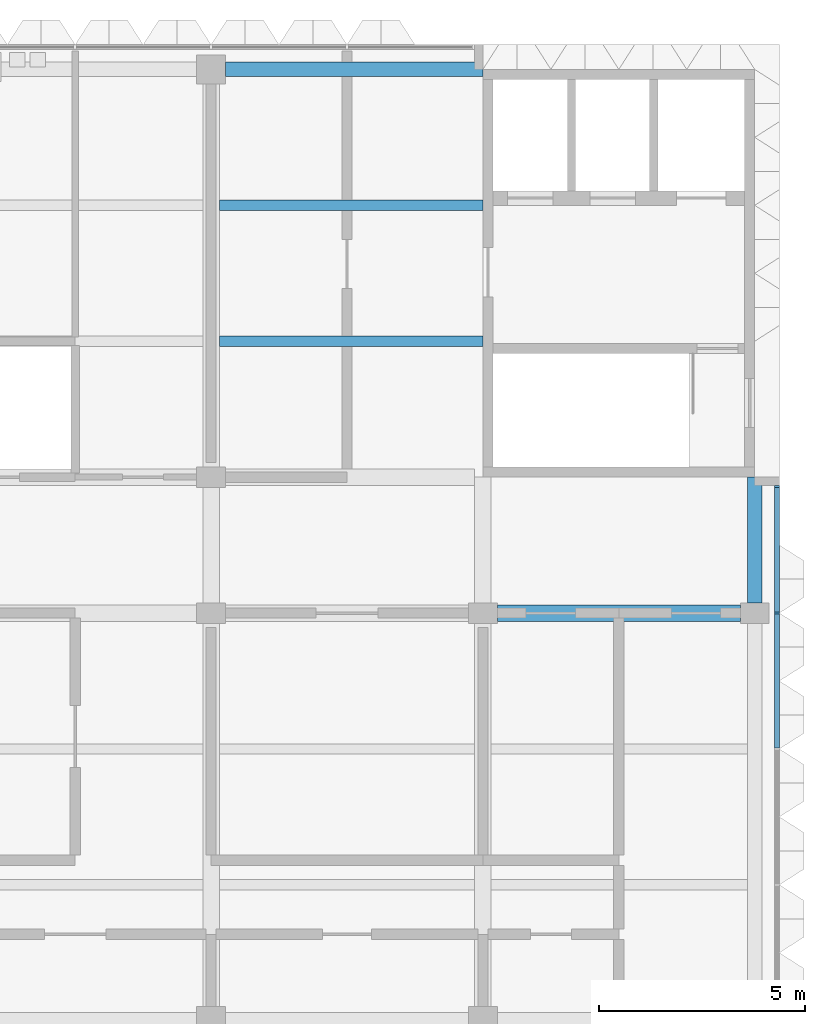
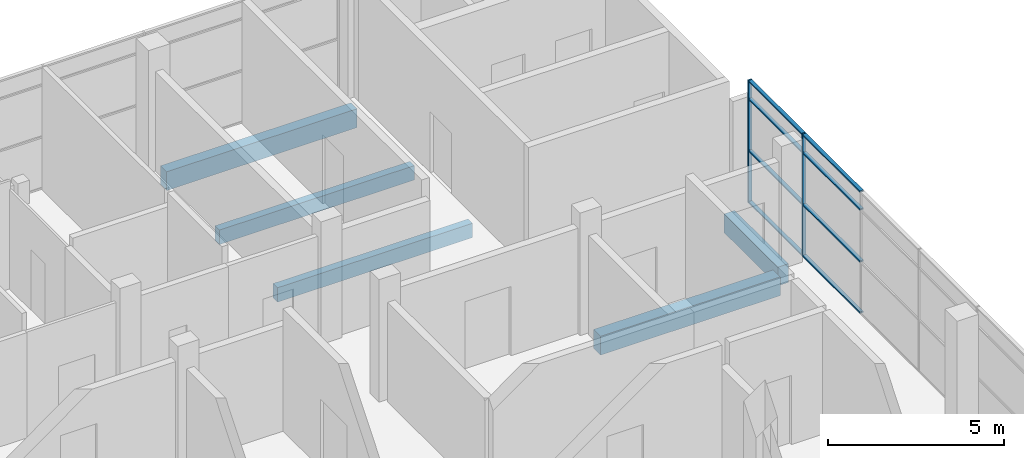
# One storey, part 5 of 21: 10 members, 5 beams, 1 element without a shape of its own.
"""IFC4 building model written with IfcOpenShell, lengths in metres."""

from ifc_helpers import new_model, si_unit, direction, frame, origin, origin_2d, place, context, subcontext, project, spatial, rectangle, extrude, material, material_profile, profile_set, type_object, element, aggregate, save


model = new_model("IFC4")

# Units and contexts
model_context = context("Model", 3, precision=1e-05, world=origin(), true_north=direction((0.0, 1.0)))
body_context = subcontext(model_context, "Body", "Model", "MODEL_VIEW")
ifc_project = project(units=[si_unit("LENGTHUNIT", "METRE"), si_unit("AREAUNIT", "SQUARE_METRE"), si_unit("VOLUMEUNIT", "CUBIC_METRE"), si_unit("PLANEANGLEUNIT", "RADIAN"), si_unit("MASSUNIT", "GRAM", prefix="KILO")], contexts=[model_context])

# Site, building, storey
site_placement = place(None, origin())
site = spatial("IfcSite", under=ifc_project, at=site_placement, CompositionType="ELEMENT")
building_placement = place(site_placement, origin())
building = spatial("IfcBuilding", under=site, at=building_placement, Name="Lantern Court Research Institute", CompositionType="ELEMENT")
storey_placement = place(building_placement, frame((0.0, 0.0, 41.39990234375)))
storey = spatial("IfcBuildingStorey", under=building, at=storey_placement, Name="L09", CompositionType="ELEMENT", Elevation=41.39990234375)

# Curtain wall, members
ifc_material_1 = material(Name="Aluminium alloy 6063-T6", Category="aluminium")
curtain_wall_type = type_object("IfcCurtainWallType", Name="Curtain wall 21250 x 4250 x 120 aluminium frame", PredefinedType="NOTDEFINED", material=ifc_material_1)
curtain_wall_placement = place(storey_placement, origin())
curtain_wall = element("IfcCurtainWall", 1, at=curtain_wall_placement, inside=storey, type_object=curtain_wall_type, Name="Curtain wall CW089", PredefinedType="NOTDEFINED")
ifc_material_2 = material(Name="Aluminium alloy 6063-T6", Category="aluminium")
ifc_material_profile_1 = material_profile(ifc_material_2, rectangle(XDim=0.1201171875, YDim=0.050048828125, at=origin_2d()), Name="Mullion 120 x 50")
ifc_profile_set_1 = profile_set([ifc_material_profile_1], Name="Aluminium alloy 6063-T6")
member_type_1 = type_object("IfcMemberType", Name="Mullion 120 x 50 aluminium", PredefinedType="MULLION", material=ifc_profile_set_1)
member_1_placement = place(storey_placement, frame((79.739990234375, 9.89990234375, 0.0), z_axis=(0.0, 0.0, 1.0), x_axis=(1.0, 0.0, 0.0)))
member_1 = element("IfcMember", 2, at=member_1_placement, type_object=member_type_1, Name="CW089 mullion 7", PredefinedType="MULLION", context=body_context, shape_type="SweptSolid", body=[
    extrude(rectangle(XDim=0.1201171875, YDim=0.050048828125, at=origin_2d()), origin(), (0.0, 0.0, 1.0), 4.25),
])
member_2_placement = place(storey_placement, frame((79.739990234375, 12.97509765625, 0.0), z_axis=(0.0, 0.0, 1.0), x_axis=(1.0, 0.0, 0.0)))
member_2 = element("IfcMember", 3, at=member_2_placement, type_object=member_type_1, Name="CW089 mullion 8", PredefinedType="MULLION", context=body_context, shape_type="SweptSolid", body=[
    extrude(rectangle(XDim=0.1201171875, YDim=0.050048828125, at=origin_2d()), origin(), (0.0, 0.0, 1.0), 4.25),
])

# Beams
ifc_material_3 = material(Name="Concrete C40/50", Category="concrete")
ifc_material_profile_2 = material_profile(ifc_material_3, rectangle(XDim=0.39990234375, YDim=0.64990234375, at=origin_2d()), Name="RC beam 400 x 650")
ifc_profile_set_2 = profile_set([ifc_material_profile_2], Name="Concrete C40/50")
beam_type_1 = type_object("IfcBeamType", Name="RC beam 400 x 650", PredefinedType="BEAM", material=ifc_profile_set_2)
beam_1_placement = place(storey_placement, frame((72.949951171875, 9.89990234375, -0.625), z_axis=(1.0, 0.0, 0.0), x_axis=(0.0, 1.0, 0.0)))
element("IfcBeam", 4, at=beam_1_placement, inside=storey, type_object=beam_type_1, Name="Beam L09 grid B/12-13", PredefinedType="BEAM", context=body_context, shape_type="SweptSolid", body=[
    extrude(rectangle(XDim=0.39990234375, YDim=0.64990234375, at=origin_2d()), origin(), (0.0, 0.0, 1.0), 5.900146484375),
])
ifc_material_4 = material(Name="Concrete C40/50", Category="concrete")
ifc_material_profile_3 = material_profile(ifc_material_4, rectangle(XDim=0.35009765625, YDim=0.64990234375, at=origin_2d()), Name="RC beam 350 x 650")
ifc_profile_set_3 = profile_set([ifc_material_profile_3], Name="Concrete C40/50")
beam_type_2 = type_object("IfcBeamType", Name="RC edge beam 350 x 650", PredefinedType="BEAM", material=ifc_profile_set_3)
beam_2_placement = place(storey_placement, frame((79.199951171875, 10.14990234375, -0.625), z_axis=(0.0, 1.0, 0.0), x_axis=(-1.0, 0.0, 0.0)))
element("IfcBeam", 5, at=beam_2_placement, inside=storey, type_object=beam_type_2, Name="Edge beam L09 grid 13/B-C", PredefinedType="BEAM", context=body_context, shape_type="SweptSolid", body=[
    extrude(rectangle(XDim=0.35009765625, YDim=0.64990234375, at=origin_2d()), origin(), (0.0, 0.0, 1.0), 3.050048828125),
])
beam_3_placement = place(storey_placement, frame((66.35009765625, 23.10009765625, -0.625), z_axis=(1.0, 0.0, 0.0), x_axis=(0.0, 1.0, 0.0)))
element("IfcBeam", 6, at=beam_3_placement, inside=storey, type_object=beam_type_2, Name="Edge beam L09 grid D/11-12", PredefinedType="BEAM", context=body_context, shape_type="SweptSolid", body=[
    extrude(rectangle(XDim=0.35009765625, YDim=0.64990234375, at=origin_2d()), origin(), (0.0, 0.0, 1.0), 6.25),
])
ifc_material_5 = material(Name="Concrete C40/50", Category="concrete")
ifc_material_profile_4 = material_profile(ifc_material_5, rectangle(XDim=0.25, YDim=0.5, at=origin_2d()), Name="RC beam 250 x 500")
ifc_profile_set_4 = profile_set([ifc_material_profile_4], Name="Concrete C40/50")
beam_type_3 = type_object("IfcBeamType", Name="RC secondary beam 250 x 500", PredefinedType="BEAM", material=ifc_profile_set_4)
for number, where, z_axis, x_axis, name in (
    (7, (66.199951171875, 16.5, -0.5498046875), (1.0, 0.0, 0.0), (0.0, 1.0, 0.0), "Secondary beam L09 grids 11-12 / C-D, line 1"),
    (8, (66.199951171875, 19.800048828125, -0.5498046875), (1.0, 0.0, 0.0), (0.0, 1.0, 0.0), "Secondary beam L09 grids 11-12 / C-D, line 2"),
):
    element("IfcBeam", number, at=place(storey_placement, frame(where, z_axis=z_axis, x_axis=x_axis)), inside=storey, type_object=beam_type_3, Name=name, PredefinedType="BEAM", context=body_context, shape_type="SweptSolid", body=[
        extrude(rectangle(XDim=0.25, YDim=0.5, at=origin_2d()), origin(), (0.0, 0.0, 1.0), 6.400146484375),
    ])

# Member
ifc_material_6 = material(Name="Aluminium alloy 6063-T6", Category="aluminium")
ifc_material_profile_5 = material_profile(ifc_material_6, rectangle(XDim=0.1201171875, YDim=0.050048828125, at=origin_2d()), Name="Transom 120 x 50")
ifc_profile_set_5 = profile_set([ifc_material_profile_5], Name="Aluminium alloy 6063-T6")
member_type_2 = type_object("IfcMemberType", Name="Transom 120 x 50 aluminium", PredefinedType="USERDEFINED", material=ifc_profile_set_5)
member_3_placement = place(storey_placement, frame((79.739990234375, 9.875, 0.025146484375), z_axis=(0.0, -1.0, 0.0), x_axis=(1.0, 0.0, 0.0)))
member_3 = element("IfcMember", 9, at=member_3_placement, type_object=member_type_2, Name="CW089 transom 6.1", ObjectType="TRANSOM", PredefinedType="USERDEFINED", context=body_context, shape_type="SweptSolid", body=[
    extrude(rectangle(XDim=0.1201171875, YDim=0.050048828125, at=origin_2d()), origin(), (0.0, 0.0, 1.0), 3.25),
])

member_4_placement = place(storey_placement, frame((79.739990234375, 9.875, 1.800048828125), z_axis=(0.0, -1.0, 0.0), x_axis=(1.0, 0.0, 0.0)))
member_4 = element("IfcMember", 10, at=member_4_placement, type_object=member_type_2, Name="CW089 transom 6.2", ObjectType="TRANSOM", PredefinedType="USERDEFINED", context=body_context, shape_type="SweptSolid", body=[
    extrude(rectangle(XDim=0.1201171875, YDim=0.050048828125, at=origin_2d()), origin(), (0.0, 0.0, 1.0), 3.25),
])

member_5_placement = place(storey_placement, frame((79.739990234375, 9.875, 3.60009765625), z_axis=(0.0, -1.0, 0.0), x_axis=(1.0, 0.0, 0.0)))
member_5 = element("IfcMember", 11, at=member_5_placement, type_object=member_type_2, Name="CW089 transom 6.3", ObjectType="TRANSOM", PredefinedType="USERDEFINED", context=body_context, shape_type="SweptSolid", body=[
    extrude(rectangle(XDim=0.1201171875, YDim=0.050048828125, at=origin_2d()), origin(), (0.0, 0.0, 1.0), 3.25),
])

member_6_placement = place(storey_placement, frame((79.739990234375, 9.875, 4.22509765625), z_axis=(0.0, -1.0, 0.0), x_axis=(1.0, 0.0, 0.0)))
member_6 = element("IfcMember", 12, at=member_6_placement, type_object=member_type_2, Name="CW089 transom 6.4", ObjectType="TRANSOM", PredefinedType="USERDEFINED", context=body_context, shape_type="SweptSolid", body=[
    extrude(rectangle(XDim=0.1201171875, YDim=0.050048828125, at=origin_2d()), origin(), (0.0, 0.0, 1.0), 3.25),
])

member_7_placement = place(storey_placement, frame((79.739990234375, 12.949951171875, 0.025146484375), z_axis=(0.0, -1.0, 0.0), x_axis=(1.0, 0.0, 0.0)))
member_7 = element("IfcMember", 13, at=member_7_placement, type_object=member_type_2, Name="CW089 transom 7.1", ObjectType="TRANSOM", PredefinedType="USERDEFINED", context=body_context, shape_type="SweptSolid", body=[
    extrude(rectangle(XDim=0.1201171875, YDim=0.050048828125, at=origin_2d()), origin(), (0.0, 0.0, 1.0), 3.02490234375),
])

member_8_placement = place(storey_placement, frame((79.739990234375, 12.949951171875, 1.800048828125), z_axis=(0.0, -1.0, 0.0), x_axis=(1.0, 0.0, 0.0)))
member_8 = element("IfcMember", 14, at=member_8_placement, type_object=member_type_2, Name="CW089 transom 7.2", ObjectType="TRANSOM", PredefinedType="USERDEFINED", context=body_context, shape_type="SweptSolid", body=[
    extrude(rectangle(XDim=0.1201171875, YDim=0.050048828125, at=origin_2d()), origin(), (0.0, 0.0, 1.0), 3.02490234375),
])

member_9_placement = place(storey_placement, frame((79.739990234375, 12.949951171875, 3.60009765625), z_axis=(0.0, -1.0, 0.0), x_axis=(1.0, 0.0, 0.0)))
member_9 = element("IfcMember", 15, at=member_9_placement, type_object=member_type_2, Name="CW089 transom 7.3", ObjectType="TRANSOM", PredefinedType="USERDEFINED", context=body_context, shape_type="SweptSolid", body=[
    extrude(rectangle(XDim=0.1201171875, YDim=0.050048828125, at=origin_2d()), origin(), (0.0, 0.0, 1.0), 3.02490234375),
])

member_10_placement = place(storey_placement, frame((79.739990234375, 12.949951171875, 4.22509765625), z_axis=(0.0, -1.0, 0.0), x_axis=(1.0, 0.0, 0.0)))
member_10 = element("IfcMember", 16, at=member_10_placement, type_object=member_type_2, Name="CW089 transom 7.4", ObjectType="TRANSOM", PredefinedType="USERDEFINED", context=body_context, shape_type="SweptSolid", body=[
    extrude(rectangle(XDim=0.1201171875, YDim=0.050048828125, at=origin_2d()), origin(), (0.0, 0.0, 1.0), 3.02490234375),
])

aggregate(curtain_wall, [member_1, member_2, member_3, member_4, member_5, member_6, member_7, member_8, member_9, member_10])

save(model, "model.ifc")
